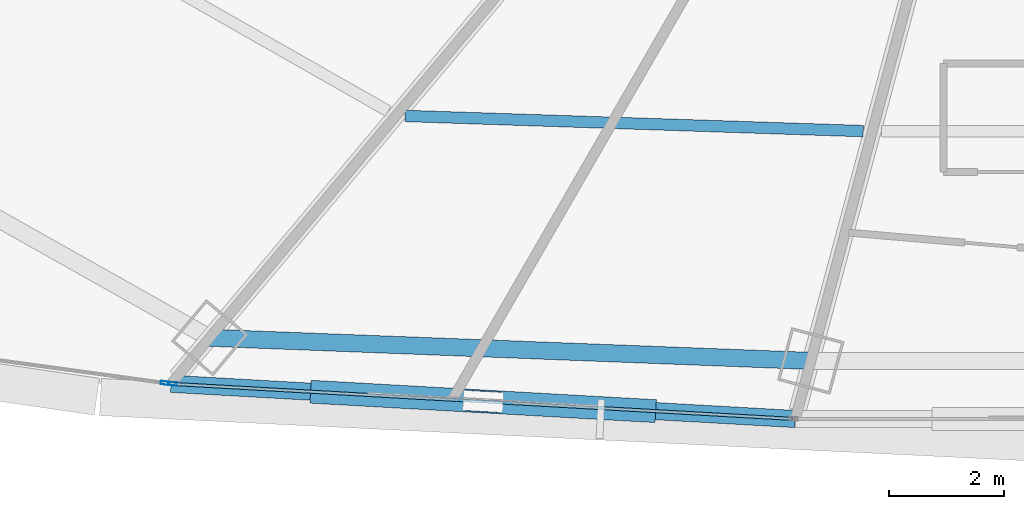
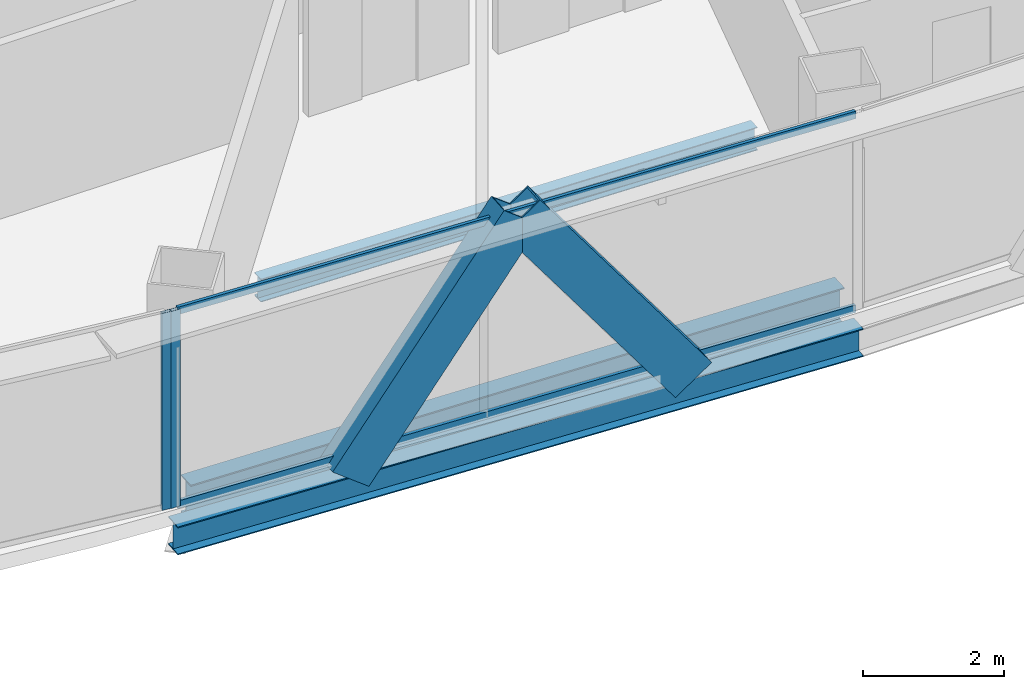
# One storey, part 6 of 39: 6 members, 3 beams, 2 elements without a shape of their own.
"""IFC4 building model written with IfcOpenShell, lengths in metres."""

from ifc_helpers import new_model, si_unit, direction, frame, origin, origin_2d, place, context, subcontext, project, spatial, hollow_rectangle, i_section, extrude, source, transform, mapped, material, layer, layer_set, material_profile, profile_set, type_object, element, aggregate, save


model = new_model("IFC4")

# Units and contexts
model_context = context("Model", 3, precision=1e-05, world=origin(), true_north=direction((0.0, 1.0)))
body_context = subcontext(model_context, "Body", "Model", "MODEL_VIEW")
ifc_project = project(units=[si_unit("LENGTHUNIT", "METRE"), si_unit("AREAUNIT", "SQUARE_METRE"), si_unit("VOLUMEUNIT", "CUBIC_METRE"), si_unit("PLANEANGLEUNIT", "RADIAN"), si_unit("MASSUNIT", "GRAM", prefix="KILO"), si_unit("THERMODYNAMICTEMPERATUREUNIT", "KELVIN"), si_unit("POWERUNIT", "WATT")], contexts=[model_context])

# Site, building, storey
site_placement = place(None, origin())
site = spatial("IfcSite", under=ifc_project, at=site_placement, CompositionType="ELEMENT")
building_placement = place(site_placement, origin())
building = spatial("IfcBuilding", under=site, at=building_placement, Name="Yunzhuo Pagoda Commons", CompositionType="ELEMENT")
storey_placement = place(building_placement, frame((0.0, 0.0, 162.949951171875)))
storey = spatial("IfcBuildingStorey", under=building, at=storey_placement, Name="L41", CompositionType="ELEMENT", Elevation=162.949951171875)

# Beams
ifc_material_1 = material(Name="Structural steel Q355B", Category="steel")
ifc_material_profile_1 = material_profile(ifc_material_1, i_section(OverallWidth=0.300048828125, OverallDepth=0.64990234375, WebThickness=0.012939453125, FlangeThickness=0.02197265625, at=origin_2d()), Name="Structural steel Q355B")
ifc_profile_set_1 = profile_set([ifc_material_profile_1], Name="Structural steel Q355B")
beam_type_1 = type_object("IfcBeamType", Name="B-RG2 Beam HN 650x300x13x22", PredefinedType="BEAM", material=ifc_profile_set_1)
shared_shape_1 = source(origin(), body_context, "Body", "SweptSolid", [
    extrude(i_section(OverallWidth=0.300048828125, OverallDepth=0.64990234375, WebThickness=0.012939453125, FlangeThickness=0.02197265625, at=origin_2d()), origin(), (0.0, 0.0, 1.0), 10.5078125),
])
beam_1_placement = place(storey_placement, frame((32.414794921875, 15.126220703125, -0.5849609375), z_axis=(0.999258632812, -0.03849915259, 0.0), x_axis=(0.03849915259, 0.999258632812, 0.0)))
element("IfcBeam", 1, at=beam_1_placement, inside=storey, type_object=beam_type_1, Name="L41 column-ring beam 1", PredefinedType="BEAM", context=body_context, shape_type="MappedRepresentation", body=[
    mapped(shared_shape_1, transform((0.0, 0.0, 0.0), scale=1.0)),
])
ifc_material_profile_2 = material_profile(ifc_material_1, i_section(OverallWidth=0.199951171875, OverallDepth=0.39990234375, WebThickness=0.008056640625, FlangeThickness=0.012939453125, at=origin_2d()), Name="Structural steel Q355B")
ifc_profile_set_2 = profile_set([ifc_material_profile_2], Name="Structural steel Q355B")
beam_type_2 = type_object("IfcBeamType", Name="B-JS1 Joist HN 400x200x8x13", PredefinedType="JOIST", material=ifc_profile_set_2)
shared_shape_2 = source(origin(), body_context, "Body", "SweptSolid", [
    extrude(i_section(OverallWidth=0.199951171875, OverallDepth=0.39990234375, WebThickness=0.008056640625, FlangeThickness=0.012939453125, at=origin_2d()), origin(), (0.0, 0.0, 1.0), 8.00537109375),
])
beam_2_placement = place(storey_placement, frame((35.8291015625, 19.00048828125, -0.4599609375), z_axis=(0.999453403952, -0.033058937199, 0.0), x_axis=(0.033058937199, 0.999453403952, 0.0)))
element("IfcBeam", 2, at=beam_2_placement, inside=storey, type_object=beam_type_2, Name="L41 composite ring joist 2.1", PredefinedType="JOIST", context=body_context, shape_type="MappedRepresentation", body=[
    mapped(shared_shape_2, transform((0.0, 0.0, 0.0), scale=1.0)),
])
ifc_material_profile_3 = material_profile(ifc_material_1, i_section(OverallWidth=0.300048828125, OverallDepth=0.488037109375, WebThickness=0.010986328125, FlangeThickness=0.01806640625, at=origin_2d()), Name="Structural steel Q355B")
ifc_profile_set_3 = profile_set([ifc_material_profile_3], Name="Structural steel Q355B")
beam_type_3 = type_object("IfcBeamType", Name="B-SP1 Beam HM 488x300x11x18", PredefinedType="BEAM", material=ifc_profile_set_3)
shared_shape_3 = source(origin(), body_context, "Body", "SweptSolid", [
    extrude(i_section(OverallWidth=0.300048828125, OverallDepth=0.488037109375, WebThickness=0.010986328125, FlangeThickness=0.01806640625, at=origin_2d()), origin(), (0.0, 0.0, 1.0), 10.920166015625),
])
beam_3_placement = place(storey_placement, frame((31.739990234375, 14.322265625, -0.50390625), z_axis=(0.998412941388, -0.056316946557, 0.0), x_axis=(0.056316946557, 0.998412941388, 0.0)))
element("IfcBeam", 3, at=beam_3_placement, inside=storey, type_object=beam_type_3, Name="L41 facade edge spandrel beam F1.1", PredefinedType="BEAM", context=body_context, shape_type="MappedRepresentation", body=[
    mapped(shared_shape_3, transform((0.0, 0.0, 0.0), scale=1.0)),
])

# Members
ifc_material_profile_4 = material_profile(ifc_material_1, hollow_rectangle(XDim=0.39990234375, YDim=0.719970703125, WallThickness=0.02392578125, at=origin_2d()), Name="Structural steel Q355B")
ifc_profile_set_4 = profile_set([ifc_material_profile_4], Name="Structural steel Q355B")
member_type_1 = type_object("IfcMemberType", Name="M-DL2 Brace BOX 720x400x24", PredefinedType="BRACE", material=ifc_profile_set_4)
shared_shape_4 = source(origin(), body_context, "Body", "SweptSolid", [
    extrude(hollow_rectangle(XDim=0.39990234375, YDim=0.719970703125, WallThickness=0.02392578125, at=origin_2d()), origin(), (0.0, 0.0, 1.0), 4.582275390625),
])
for number, where, z_axis, x_axis, name in (
    (4, (34.465576171875, 14.168212890625, -0.260009765625), (0.594861354385, -0.03351256533, 0.803129427318), (0.056247577234, 0.998416851849, 0.0), "L41 facade diamond brace F1.1L"),
    (5, (39.9169921875, 13.86083984375, -0.260009765625), (-0.594825863997, 0.033566848291, 0.803153446246), (-0.05634174772, -0.998411542133, 0.0), "L41 facade diamond brace F1.1R"),
):
    element("IfcMember", number, at=place(storey_placement, frame(where, z_axis=z_axis, x_axis=x_axis)), inside=storey, type_object=member_type_1, Name=name, PredefinedType="BRACE", context=body_context, shape_type="MappedRepresentation", body=[
        mapped(shared_shape_4, transform((0.0, 0.0, 0.0), scale=1.0)),
    ])

# Curtain wall, member
ifc_material_2 = material(Name="Anodized aluminium 6063-T6", Category="aluminium")
ifc_layer = layer(ifc_material_2, 0.14990234375)
ifc_layer_set = layer_set([ifc_layer], Name="Anodized aluminium 6063-T6")
curtain_wall_type = type_object("IfcCurtainWallType", Name="CW-MID Mid-Zone Ribbon Curtain Wall", PredefinedType="NOTDEFINED", material=ifc_layer_set)
curtain_wall_1_placement = place(storey_placement, origin())
curtain_wall_1 = element("IfcCurtainWall", 6, at=curtain_wall_1_placement, inside=storey, type_object=curtain_wall_type, Name="L41 curtain wall CW-L41-F1B2", PredefinedType="NOTDEFINED")
ifc_material_profile_5 = material_profile(ifc_material_2, hollow_rectangle(XDim=0.06005859375, YDim=0.14990234375, WallThickness=0.00390625, at=origin_2d()), Name="Anodized aluminium 6063-T6")
ifc_profile_set_5 = profile_set([ifc_material_profile_5], Name="Anodized aluminium 6063-T6")
member_type_2 = type_object("IfcMemberType", Name="CW-MID-M Mullion RHS 150x60x4", PredefinedType="MULLION", material=ifc_profile_set_5)
shared_shape_5 = source(origin(), body_context, "Body", "SweptSolid", [
    extrude(hollow_rectangle(XDim=0.06005859375, YDim=0.14990234375, WallThickness=0.00390625, at=origin_2d()), origin(), (0.0, 0.0, 1.0), 3.420166015625),
])
member_1_placement = place(storey_placement, frame((31.769775390625, 14.320556640625, 0.0), z_axis=(0.0, 0.0, 1.0), x_axis=(0.056298716731, 0.998413969501, 0.0)))
member_1 = element("IfcMember", 7, at=member_1_placement, type_object=member_type_2, Name="CW mullion 1", PredefinedType="MULLION", context=body_context, shape_type="MappedRepresentation", body=[
    mapped(shared_shape_5, transform((0.0, 0.0, 0.0), scale=1.0)),
])

curtain_wall_2_placement = place(storey_placement, origin())
curtain_wall_2 = element("IfcCurtainWall", 8, at=curtain_wall_2_placement, inside=storey, type_object=curtain_wall_type, Name="L41 curtain wall CW-L41-F1B1", PredefinedType="NOTDEFINED")
member_2_placement = place(storey_placement, frame((31.635986328125, 14.336181640625, 0.0), z_axis=(0.0, 0.0, 1.0), x_axis=(0.135767265879, 0.990740757976, 0.0)))
member_2 = element("IfcMember", 9, at=member_2_placement, type_object=member_type_2, Name="CW mullion 2", PredefinedType="MULLION", context=body_context, shape_type="MappedRepresentation", body=[
    mapped(shared_shape_5, transform((0.0, 0.0, 0.0), scale=1.0)),
])
aggregate(curtain_wall_2, [member_2])

# Member
ifc_material_profile_6 = material_profile(ifc_material_2, hollow_rectangle(XDim=0.054931640625, YDim=0.1298828125, WallThickness=0.00341796875, at=origin_2d()), Name="Anodized aluminium 6063-T6")
ifc_profile_set_6 = profile_set([ifc_material_profile_6], Name="Anodized aluminium 6063-T6")
member_type_3 = type_object("IfcMemberType", Name="CW-MID-T Transom RHS 130x55x3.5", PredefinedType="USERDEFINED", material=ifc_profile_set_6)
shared_shape_6 = source(origin(), body_context, "Body", "SweptSolid", [
    extrude(hollow_rectangle(XDim=0.054931640625, YDim=0.1298828125, WallThickness=0.00341796875, at=origin_2d()), origin(), (0.0, 0.0, 1.0), 10.80029296875),
])
member_3_placement = place(storey_placement, frame((31.7998046875, 14.31884765625, 0.027587890625), z_axis=(0.998413399978, -0.05630881587, 0.0), x_axis=(0.05630881587, 0.998413399978, 0.0)))
member_3 = element("IfcMember", 10, at=member_3_placement, type_object=member_type_3, Name="CW transom 1.1", ObjectType="TRANSOM", PredefinedType="USERDEFINED", context=body_context, shape_type="MappedRepresentation", body=[
    mapped(shared_shape_6, transform((0.0, 0.0, 0.0), scale=1.0)),
])

member_4_placement = place(storey_placement, frame((31.7998046875, 14.31884765625, 3.392578125), z_axis=(0.998413399978, -0.05630881587, 0.0), x_axis=(0.05630881587, 0.998413399978, 0.0)))
member_4 = element("IfcMember", 11, at=member_4_placement, type_object=member_type_3, Name="CW transom 1.2", ObjectType="TRANSOM", PredefinedType="USERDEFINED", context=body_context, shape_type="MappedRepresentation", body=[
    mapped(shared_shape_6, transform((0.0, 0.0, 0.0), scale=1.0)),
])

aggregate(curtain_wall_1, [member_1, member_3, member_4])

save(model, "model.ifc")
